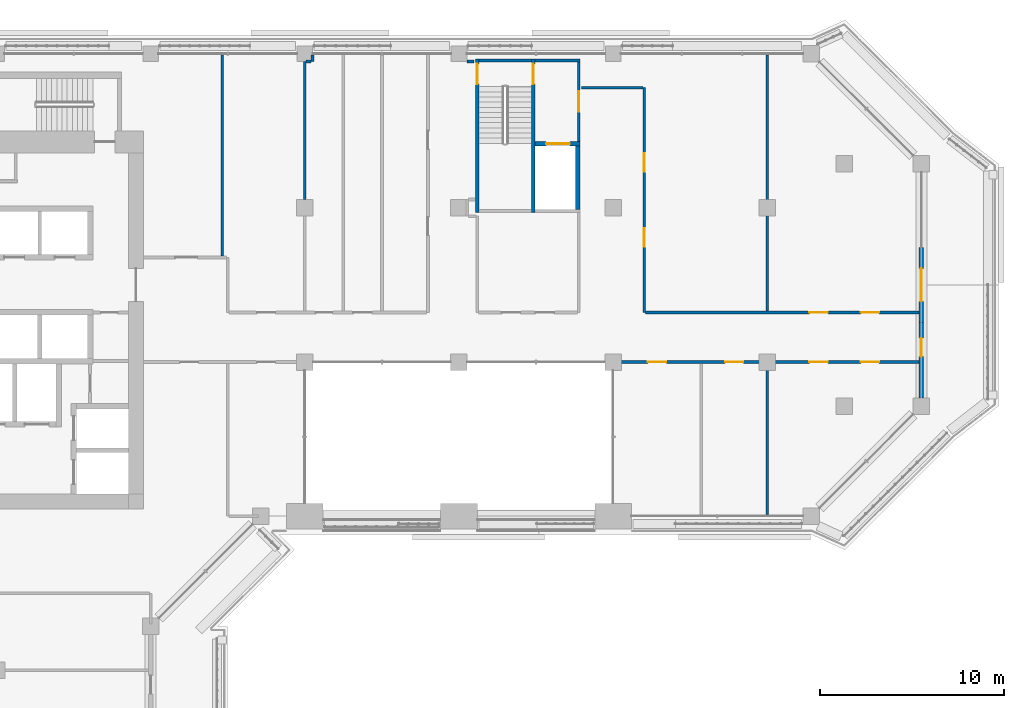
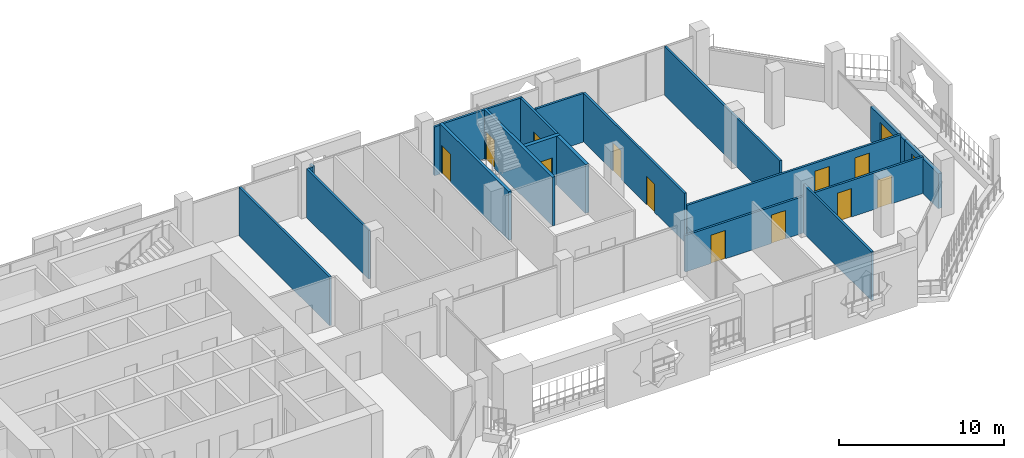
# One storey, part 15 of 23: 20 walls, 14 doors, 14 openings.
"""IFC4 building model written with IfcOpenShell, lengths in metres."""

from ifc_helpers import new_model, si_unit, direction, frame, frame_2d, origin, place, context, subcontext, project, spatial, rectangle, extrude, material, layer, layer_set, type_object, element, fill, save


model = new_model("IFC4")

# Units and contexts
model_context = context("Model", 3, precision=1e-05, world=origin(), true_north=direction((0.0, 1.0)))
body_context = subcontext(model_context, "Body", "Model", "MODEL_VIEW")
ifc_project = project(units=[si_unit("LENGTHUNIT", "METRE"), si_unit("AREAUNIT", "SQUARE_METRE"), si_unit("VOLUMEUNIT", "CUBIC_METRE"), si_unit("PLANEANGLEUNIT", "RADIAN"), si_unit("MASSUNIT", "GRAM", prefix="KILO")], contexts=[model_context])

# Site, building, storey
site_placement = place(None, origin())
site = spatial("IfcSite", under=ifc_project, at=site_placement, CompositionType="ELEMENT")
building_placement = place(site_placement, origin())
building = spatial("IfcBuilding", under=site, at=building_placement, Name="Kawkab Arch Medical Tower", CompositionType="ELEMENT")
storey_placement = place(building_placement, frame((0.0, 0.0, 222.199951171875)))
storey = spatial("IfcBuildingStorey", under=building, at=storey_placement, Name="L51", CompositionType="ELEMENT", Elevation=222.199951171875)

# Wall, opening, door
ifc_material_1 = material(Name="Gypsum board on steel studs", Category="steel")
ifc_layer_1 = layer(ifc_material_1, 0.14990234375)
ifc_layer_set_1 = layer_set([ifc_layer_1], Name="Gypsum board on steel studs")
wall_type_1 = type_object("IfcWallType", Name="Core room partition 150", PredefinedType="PARTITIONING", material=ifc_layer_set_1)
wall_1_placement = place(storey_placement, frame((48.52490234375, -4.77490234375, 0.0), z_axis=(0.0, 0.0, 1.0), x_axis=(0.0, 1.0, 0.0)))
wall_1 = element("IfcWall", 1, at=wall_1_placement, inside=storey, type_object=wall_type_1, Name="L51 core room partition", PredefinedType="PARTITIONING", context=body_context, shape_type="SweptSolid", body=[
    extrude(rectangle(XDim=4.324951171875, YDim=0.14990234375, at=frame_2d((2.16259765625, 0.0))), origin(), (0.0, 0.0, 1.0), 3.60009765625),
])
opening_1_placement = place(wall_1_placement, frame((1.625, 0.0, 0.0)))
opening_1 = element("IfcOpeningElement", 2, at=opening_1_placement, cuts=wall_1, Name="Opening FD", PredefinedType="OPENING", context=body_context, shape_type="SweptSolid", body=[
    extrude(rectangle(XDim=1.10009765625, YDim=2.10009765625, at=frame_2d((0.550048828125, 1.050048828125))), frame((0.0, 0.0849609375, 0.0), z_axis=(0.0, -1.0, 0.0), x_axis=(1.0, 0.0, 0.0)), (0.0, 0.0, 1.0), 0.169921875),
])
ifc_material_2 = material(Name="Hollow metal fire door leaf")
door_type_1 = type_object("IfcDoorType", Name="Firefighting lobby door 1100", OperationType="SINGLE_SWING_LEFT", PredefinedType="DOOR", material=ifc_material_2)
door_1_placement = place(opening_1_placement, origin())
door_1 = element("IfcDoor", 3, at=door_1_placement, inside=storey, type_object=door_type_1, Name="L51 Service lift lobby door SV1", OperationType="SINGLE_SWING_LEFT", OverallHeight=2.10009765625, OverallWidth=1.10009765625, PredefinedType="DOOR", context=body_context, shape_type="SweptSolid", body=[
    extrude(rectangle(XDim=1.10009765625, YDim=2.10009765625, at=frame_2d((0.550048828125, 1.050048828125))), frame((0.0, 0.02490234375, 0.0), z_axis=(0.0, -1.0, 0.0), x_axis=(1.0, 0.0, 0.0)), (0.0, 0.0, 1.0), 0.050048828125),
])
fill(opening_1, door_1)

ifc_material_3 = material(Name="Concrete C60/75", Category="concrete")
ifc_layer_2 = layer(ifc_material_3, 0.25)
ifc_layer_set_2 = layer_set([ifc_layer_2], Name="Concrete C60/75")
wall_type_2 = type_object("IfcWallType", Name="Core shear wall 250 C60/75", PredefinedType="SHEAR", material=ifc_layer_set_2)
wall_2_placement = place(storey_placement, frame((46.14990234375, -4.89990234375, 0.0), z_axis=(0.0, 0.0, 1.0), x_axis=(1.0, 0.0, 0.0)))
wall_2 = element("IfcWall", 4, at=wall_2_placement, inside=storey, type_object=wall_type_2, Name="L51 core shear wall", PredefinedType="SHEAR", context=body_context, shape_type="SweptSolid", body=[
    extrude(rectangle(XDim=2.4501953125, YDim=0.25, at=frame_2d((1.22509765625, 0.0))), origin(), (0.0, 0.0, 1.0), 3.60009765625),
])
opening_2_placement = place(wall_2_placement, frame((0.60009765625, 0.0, 0.0)))
opening_2 = element("IfcOpeningElement", 5, at=opening_2_placement, cuts=wall_2, Name="Opening LD2", PredefinedType="OPENING", context=body_context, shape_type="SweptSolid", body=[
    extrude(rectangle(XDim=1.300048828125, YDim=2.10009765625, at=frame_2d((0.64990234375, 1.050048828125))), frame((0.0, 0.135009765625, 0.0), z_axis=(0.0, -1.0, 0.0), x_axis=(1.0, 0.0, 0.0)), (0.0, 0.0, 1.0), 0.27001953125),
])
ifc_material_4 = material(Name="Stainless steel lift door leaf", Category="steel")
door_type_2 = type_object("IfcDoorType", Name="Lift landing door 1300", OperationType="DOUBLE_DOOR_SLIDING", PredefinedType="DOOR", material=ifc_material_4)
door_2_placement = place(opening_2_placement, origin())
door_2 = element("IfcDoor", 6, at=door_2_placement, inside=storey, type_object=door_type_2, Name="L51 Lift landing door SV1", OperationType="DOUBLE_DOOR_SLIDING", OverallHeight=2.10009765625, OverallWidth=1.300048828125, PredefinedType="DOOR", context=body_context, shape_type="SweptSolid", body=[
    extrude(rectangle(XDim=1.300048828125, YDim=2.10009765625, at=frame_2d((0.64990234375, 1.050048828125))), frame((0.0, 0.02490234375, 0.0), z_axis=(0.0, -1.0, 0.0), x_axis=(1.0, 0.0, 0.0)), (0.0, 0.0, 1.0), 0.050048828125),
])
fill(opening_2, door_2)

# Wall
wall_3_placement = place(storey_placement, frame((48.47509765625, -8.5, 0.0), z_axis=(0.0, 0.0, 1.0), x_axis=(0.0, 1.0, 0.0)))
element("IfcWall", 7, at=wall_3_placement, inside=storey, type_object=wall_type_2, Name="L51 core shear wall", PredefinedType="SHEAR", context=body_context, shape_type="SweptSolid", body=[
    extrude(rectangle(XDim=3.47509765625, YDim=0.25, at=frame_2d((1.737548828125, 0.0))), origin(), (0.0, 0.0, 1.0), 3.60009765625),
])

# Wall, opening, door
ifc_material_5 = material(Name="Bronze clad insulated wall panel")
ifc_layer_3 = layer(ifc_material_5, 0.25)
ifc_layer_set_3 = layer_set([ifc_layer_3], Name="Bronze clad insulated wall panel")
wall_type_3 = type_object("IfcWallType", Name="External wall bay 250", PredefinedType="SOLIDWALL", material=ifc_layer_set_3)
wall_4_placement = place(storey_placement, frame((67.199951171875, -18.75, 0.0), z_axis=(0.0, 0.0, 1.0), x_axis=(0.0, 1.0, 0.0)))
wall_4 = element("IfcWall", 8, at=wall_4_placement, inside=storey, type_object=wall_type_3, Name="External wall bay L51.R07.1.1", PredefinedType="SOLIDWALL", context=body_context, shape_type="SweptSolid", body=[
    extrude(rectangle(XDim=4.10009765625, YDim=0.25, at=frame_2d((2.050048828125, 0.0))), origin(), (0.0, 0.0, 1.0), 2.580078125),
])
opening_3_placement = place(wall_4_placement, frame((2.25, 0.0, 0.0)))
opening_3 = element("IfcOpeningElement", 9, at=opening_3_placement, cuts=wall_4, Name="Opening B51-701", PredefinedType="OPENING", context=body_context, shape_type="SweptSolid", body=[
    extrude(rectangle(XDim=1.0, YDim=2.10009765625, at=frame_2d((0.5, 1.050048828125))), frame((0.0, 0.135009765625, 0.0), z_axis=(0.0, -1.0, 0.0), x_axis=(1.0, 0.0, 0.0)), (0.0, 0.0, 1.0), 0.27001953125),
])
ifc_material_6 = material(Name="Bronze anodised aluminium door with tinted glass", Category="aluminium")
door_type_3 = type_object("IfcDoorType", Name="Single external door 1000 x 2100", OperationType="SINGLE_SWING_LEFT", PredefinedType="DOOR", material=ifc_material_6)
door_3_placement = place(opening_3_placement, origin())
door_3 = element("IfcDoor", 10, at=door_3_placement, inside=storey, type_object=door_type_3, Name="External door L51.R07.1.1", OperationType="SINGLE_SWING_LEFT", OverallHeight=2.10009765625, OverallWidth=1.0, PredefinedType="DOOR", context=body_context, shape_type="SweptSolid", body=[
    extrude(rectangle(XDim=1.0, YDim=2.10009765625, at=frame_2d((0.5, 1.050048828125))), frame((0.0, 0.02490234375, 0.0), z_axis=(0.0, -1.0, 0.0), x_axis=(1.0, 0.0, 0.0)), (0.0, 0.0, 1.0), 0.050048828125),
])
fill(opening_3, door_3)

wall_5_placement = place(storey_placement, frame((67.199951171875, -14.64990234375, 0.0), z_axis=(0.0, 0.0, 1.0), x_axis=(0.0, 1.0, 0.0)))
wall_5 = element("IfcWall", 11, at=wall_5_placement, inside=storey, type_object=wall_type_3, Name="External wall bay L51.R07.1.2", PredefinedType="SOLIDWALL", context=body_context, shape_type="SweptSolid", body=[
    extrude(rectangle(XDim=4.099853515625, YDim=0.25, at=frame_2d((2.0498046875, 0.0))), origin(), (0.0, 0.0, 1.0), 2.580078125),
])
opening_4_placement = place(wall_5_placement, frame((1.14990234375, 0.0, 0.0)))
opening_4 = element("IfcOpeningElement", 12, at=opening_4_placement, cuts=wall_5, Name="Opening B51-702", PredefinedType="OPENING", context=body_context, shape_type="SweptSolid", body=[
    extrude(rectangle(XDim=1.800048828125, YDim=2.10009765625, at=frame_2d((0.89990234375, 1.050048828125))), frame((0.0, 0.135009765625, 0.0), z_axis=(0.0, -1.0, 0.0), x_axis=(1.0, 0.0, 0.0)), (0.0, 0.0, 1.0), 0.27001953125),
])
ifc_material_7 = material(Name="Bronze anodised aluminium door with tinted glass", Category="aluminium")
door_type_4 = type_object("IfcDoorType", Name="Double external door 1800 x 2100", OperationType="DOUBLE_DOOR_SINGLE_SWING", PredefinedType="DOOR", material=ifc_material_7)
door_4_placement = place(opening_4_placement, origin())
door_4 = element("IfcDoor", 13, at=door_4_placement, inside=storey, type_object=door_type_4, Name="External door L51.R07.1.2", OperationType="DOUBLE_DOOR_SINGLE_SWING", OverallHeight=2.10009765625, OverallWidth=1.800048828125, PredefinedType="DOOR", context=body_context, shape_type="SweptSolid", body=[
    extrude(rectangle(XDim=1.800048828125, YDim=2.10009765625, at=frame_2d((0.89990234375, 1.050048828125))), frame((0.0, 0.02490234375, 0.0), z_axis=(0.0, -1.0, 0.0), x_axis=(1.0, 0.0, 0.0)), (0.0, 0.0, 1.0), 0.050048828125),
])
fill(opening_4, door_4)

# Wall, openings, doors
ifc_material_8 = material(Name="Gypsum board partition on steel studs, mineral wool", Category="steel")
ifc_layer_4 = layer(ifc_material_8, 0.14990234375)
ifc_layer_set_4 = layer_set([ifc_layer_4], Name="Gypsum board partition on steel studs, mineral wool")
wall_type_4 = type_object("IfcWallType", Name="Partition 150", PredefinedType="PARTITIONING", material=ifc_layer_set_4)
wall_6_placement = place(storey_placement, frame((50.47998046875, -16.800048828125, 0.0), z_axis=(0.0, 0.0, 1.0), x_axis=(1.0, 0.0, 0.0)))
wall_6 = element("IfcWall", 14, at=wall_6_placement, inside=storey, type_object=wall_type_4, Name="Partition 150 w014", PredefinedType="PARTITIONING", context=body_context, shape_type="SweptSolid", body=[
    extrude(rectangle(XDim=16.64013671875, YDim=0.14990234375, at=frame_2d((8.320068359375, 0.0))), origin(), (0.0, 0.0, 1.0), 2.699951171875),
])
opening_5_placement = place(wall_6_placement, frame((1.820068359375, 0.0, 0.0)))
opening_5 = element("IfcOpeningElement", 15, at=opening_5_placement, cuts=wall_6, Name="Opening B51-012", PredefinedType="OPENING", context=body_context, shape_type="SweptSolid", body=[
    extrude(rectangle(XDim=1.0, YDim=2.10009765625, at=frame_2d((0.5, 1.050048828125))), frame((0.0, 0.0849609375, 0.0), z_axis=(0.0, -1.0, 0.0), x_axis=(1.0, 0.0, 0.0)), (0.0, 0.0, 1.0), 0.169921875),
])
opening_6_placement = place(wall_6_placement, frame((6.02001953125, 0.0, 0.0)))
opening_6 = element("IfcOpeningElement", 16, at=opening_6_placement, cuts=wall_6, Name="Opening B51-013", PredefinedType="OPENING", context=body_context, shape_type="SweptSolid", body=[
    extrude(rectangle(XDim=1.0, YDim=2.10009765625, at=frame_2d((0.5, 1.050048828125))), frame((0.0, 0.0849609375, 0.0), z_axis=(0.0, -1.0, 0.0), x_axis=(1.0, 0.0, 0.0)), (0.0, 0.0, 1.0), 0.169921875),
])
opening_7_placement = place(wall_6_placement, frame((13.419921875, 0.0, 0.0)))
opening_7 = element("IfcOpeningElement", 17, at=opening_7_placement, cuts=wall_6, Name="Opening B51-014", PredefinedType="OPENING", context=body_context, shape_type="SweptSolid", body=[
    extrude(rectangle(XDim=1.0, YDim=2.10009765625, at=frame_2d((0.5, 1.050048828125))), frame((0.0, 0.0849609375, 0.0), z_axis=(0.0, -1.0, 0.0), x_axis=(1.0, 0.0, 0.0)), (0.0, 0.0, 1.0), 0.169921875),
])
opening_8_placement = place(wall_6_placement, frame((10.6201171875, 0.0, 0.0)))
opening_8 = element("IfcOpeningElement", 18, at=opening_8_placement, cuts=wall_6, Name="Opening B51-015", PredefinedType="OPENING", context=body_context, shape_type="SweptSolid", body=[
    extrude(rectangle(XDim=1.0, YDim=2.10009765625, at=frame_2d((0.5, 1.050048828125))), frame((0.0, 0.0849609375, 0.0), z_axis=(0.0, -1.0, 0.0), x_axis=(1.0, 0.0, 0.0)), (0.0, 0.0, 1.0), 0.169921875),
])
ifc_material_9 = material(Name="Hollow metal door leaf")
door_type_5 = type_object("IfcDoorType", Name="Single door 1000x2100 FD30S", OperationType="NOTDEFINED", PredefinedType="DOOR", material=ifc_material_9)
door_5_placement = place(opening_5_placement, origin())
door_5 = element("IfcDoor", 19, at=door_5_placement, inside=storey, type_object=door_type_5, Name="Door B51-012", OperationType="SINGLE_SWING_RIGHT", OverallHeight=2.10009765625, OverallWidth=1.0, PredefinedType="DOOR", context=body_context, shape_type="SweptSolid", body=[
    extrude(rectangle(XDim=1.0, YDim=2.10009765625, at=frame_2d((0.5, 1.050048828125))), frame((0.0, 0.02490234375, 0.0), z_axis=(0.0, -1.0, 0.0), x_axis=(1.0, 0.0, 0.0)), (0.0, 0.0, 1.0), 0.050048828125),
])
fill(opening_5, door_5)
door_6_placement = place(opening_6_placement, origin())
door_6 = element("IfcDoor", 20, at=door_6_placement, inside=storey, type_object=door_type_5, Name="Door B51-013", OperationType="SINGLE_SWING_RIGHT", OverallHeight=2.10009765625, OverallWidth=1.0, PredefinedType="DOOR", context=body_context, shape_type="SweptSolid", body=[
    extrude(rectangle(XDim=1.0, YDim=2.10009765625, at=frame_2d((0.5, 1.050048828125))), frame((0.0, 0.02490234375, 0.0), z_axis=(0.0, -1.0, 0.0), x_axis=(1.0, 0.0, 0.0)), (0.0, 0.0, 1.0), 0.050048828125),
])
fill(opening_6, door_6)
door_7_placement = place(opening_7_placement, origin())
door_7 = element("IfcDoor", 21, at=door_7_placement, inside=storey, type_object=door_type_5, Name="Door B51-014", OperationType="SINGLE_SWING_LEFT", OverallHeight=2.10009765625, OverallWidth=1.0, PredefinedType="DOOR", context=body_context, shape_type="SweptSolid", body=[
    extrude(rectangle(XDim=1.0, YDim=2.10009765625, at=frame_2d((0.5, 1.050048828125))), frame((0.0, 0.02490234375, 0.0), z_axis=(0.0, -1.0, 0.0), x_axis=(1.0, 0.0, 0.0)), (0.0, 0.0, 1.0), 0.050048828125),
])
fill(opening_7, door_7)
door_8_placement = place(opening_8_placement, origin())
door_8 = element("IfcDoor", 22, at=door_8_placement, inside=storey, type_object=door_type_5, Name="Door B51-015", OperationType="SINGLE_SWING_LEFT", OverallHeight=2.10009765625, OverallWidth=1.0, PredefinedType="DOOR", context=body_context, shape_type="SweptSolid", body=[
    extrude(rectangle(XDim=1.0, YDim=2.10009765625, at=frame_2d((0.5, 1.050048828125))), frame((0.0, 0.02490234375, 0.0), z_axis=(0.0, -1.0, 0.0), x_axis=(1.0, 0.0, 0.0)), (0.0, 0.0, 1.0), 0.050048828125),
])
fill(opening_8, door_8)

wall_7_placement = place(storey_placement, frame((52.16796875, -14.10009765625, 0.0), z_axis=(0.0, 0.0, 1.0), x_axis=(1.0, 0.0, 0.0)))
wall_7 = element("IfcWall", 23, at=wall_7_placement, inside=storey, type_object=wall_type_4, Name="Partition 150 w017", PredefinedType="PARTITIONING", context=body_context, shape_type="SweptSolid", body=[
    extrude(rectangle(XDim=14.9521484375, YDim=0.14990234375, at=frame_2d((7.47607421875, 0.0))), origin(), (0.0, 0.0, 1.0), 2.699951171875),
])
opening_9_placement = place(wall_7_placement, frame((8.931884765625, 0.0, 0.0)))
opening_9 = element("IfcOpeningElement", 24, at=opening_9_placement, cuts=wall_7, Name="Opening B51-009", PredefinedType="OPENING", context=body_context, shape_type="SweptSolid", body=[
    extrude(rectangle(XDim=1.0, YDim=2.10009765625, at=frame_2d((0.5, 1.050048828125))), frame((0.0, 0.0849609375, 0.0), z_axis=(0.0, -1.0, 0.0), x_axis=(1.0, 0.0, 0.0)), (0.0, 0.0, 1.0), 0.169921875),
])
opening_10_placement = place(wall_7_placement, frame((11.73193359375, 0.0, 0.0)))
opening_10 = element("IfcOpeningElement", 25, at=opening_10_placement, cuts=wall_7, Name="Opening B51-010", PredefinedType="OPENING", context=body_context, shape_type="SweptSolid", body=[
    extrude(rectangle(XDim=1.0, YDim=2.10009765625, at=frame_2d((0.5, 1.050048828125))), frame((0.0, 0.0849609375, 0.0), z_axis=(0.0, -1.0, 0.0), x_axis=(1.0, 0.0, 0.0)), (0.0, 0.0, 1.0), 0.169921875),
])
door_9_placement = place(opening_9_placement, origin())
door_9 = element("IfcDoor", 26, at=door_9_placement, inside=storey, type_object=door_type_5, Name="Door B51-009", OperationType="SINGLE_SWING_RIGHT", OverallHeight=2.10009765625, OverallWidth=1.0, PredefinedType="DOOR", context=body_context, shape_type="SweptSolid", body=[
    extrude(rectangle(XDim=1.0, YDim=2.10009765625, at=frame_2d((0.5, 1.050048828125))), frame((0.0, 0.02490234375, 0.0), z_axis=(0.0, -1.0, 0.0), x_axis=(1.0, 0.0, 0.0)), (0.0, 0.0, 1.0), 0.050048828125),
])
fill(opening_9, door_9)
door_10_placement = place(opening_10_placement, origin())
door_10 = element("IfcDoor", 27, at=door_10_placement, inside=storey, type_object=door_type_5, Name="Door B51-010", OperationType="SINGLE_SWING_RIGHT", OverallHeight=2.10009765625, OverallWidth=1.0, PredefinedType="DOOR", context=body_context, shape_type="SweptSolid", body=[
    extrude(rectangle(XDim=1.0, YDim=2.10009765625, at=frame_2d((0.5, 1.050048828125))), frame((0.0, 0.02490234375, 0.0), z_axis=(0.0, -1.0, 0.0), x_axis=(1.0, 0.0, 0.0)), (0.0, 0.0, 1.0), 0.050048828125),
])
fill(opening_10, door_10)

# Walls
wall_8_placement = place(storey_placement, frame((48.679931640625, -1.85009765625, 0.0), z_axis=(0.0, 0.0, 1.0), x_axis=(1.0, 0.0, 0.0)))
element("IfcWall", 28, at=wall_8_placement, inside=storey, type_object=wall_type_4, Name="Partition 150 w021", PredefinedType="PARTITIONING", context=body_context, shape_type="SweptSolid", body=[
    extrude(rectangle(XDim=3.337158203125, YDim=0.14990234375, at=frame_2d((1.66845703125, 0.0))), origin(), (0.0, 0.0, 1.0), 3.60009765625),
])
wall_9_placement = place(storey_placement, frame((33.677001953125, -0.425048828125, 0.0), z_axis=(0.0, 0.0, 1.0), x_axis=(1.0, 0.0, 0.0)))
element("IfcWall", 29, at=wall_9_placement, inside=storey, type_object=wall_type_4, Name="Partition 150 w022", PredefinedType="PARTITIONING", context=body_context, shape_type="SweptSolid", body=[
    extrude(rectangle(XDim=0.27099609375, YDim=0.14990234375, at=frame_2d((0.135498046875, 0.0))), origin(), (0.0, 0.0, 1.0), 3.60009765625),
])
wall_10_placement = place(storey_placement, frame((42.425048828125, -0.425048828125, 0.0), z_axis=(0.0, 0.0, 1.0), x_axis=(1.0, 0.0, 0.0)))
element("IfcWall", 30, at=wall_10_placement, inside=storey, type_object=wall_type_4, Name="Partition 150 w023", PredefinedType="PARTITIONING", context=body_context, shape_type="SweptSolid", body=[
    extrude(rectangle(XDim=0.39501953125, YDim=0.14990234375, at=frame_2d((0.197509765625, 0.0))), origin(), (0.0, 0.0, 1.0), 3.60009765625),
])
wall_11_placement = place(storey_placement, frame((29.10009765625, -11.02490234375, 0.0), z_axis=(0.0, 0.0, 1.0), x_axis=(0.0, 1.0, 0.0)))
element("IfcWall", 31, at=wall_11_placement, inside=storey, type_object=wall_type_4, Name="Partition 150 w034", PredefinedType="PARTITIONING", context=body_context, shape_type="SweptSolid", body=[
    extrude(rectangle(XDim=10.94482421875, YDim=0.14990234375, at=frame_2d((5.472412109375, 0.0))), origin(), (0.0, 0.0, 1.0), 3.60009765625),
])
wall_12_placement = place(storey_placement, frame((33.60009765625, -7.949951171875, 0.0), z_axis=(0.0, 0.0, 1.0), x_axis=(0.0, 1.0, 0.0)))
element("IfcWall", 32, at=wall_12_placement, inside=storey, type_object=wall_type_4, Name="Partition 150 w038", PredefinedType="PARTITIONING", context=body_context, shape_type="SweptSolid", body=[
    extrude(rectangle(XDim=7.52294921875, YDim=0.14990234375, at=frame_2d((3.761474609375, 0.0))), origin(), (0.0, 0.0, 1.0), 3.60009765625),
])
wall_13_placement = place(storey_placement, frame((34.02490234375, -0.423095703125, 0.0), z_axis=(0.0, 0.0, 1.0), x_axis=(0.0, 1.0, 0.0)))
element("IfcWall", 33, at=wall_13_placement, inside=storey, type_object=wall_type_4, Name="Partition 150 w039", PredefinedType="PARTITIONING", context=body_context, shape_type="SweptSolid", body=[
    extrude(rectangle(XDim=0.343017578125, YDim=0.14990234375, at=frame_2d((0.17138671875, 0.0))), origin(), (0.0, 0.0, 1.0), 3.60009765625),
])

# Wall, openings, doors
wall_14_placement = place(storey_placement, frame((52.093017578125, -14.10009765625, 0.0), z_axis=(0.0, 0.0, 1.0), x_axis=(0.0, 1.0, 0.0)))
wall_14 = element("IfcWall", 34, at=wall_14_placement, inside=storey, type_object=wall_type_4, Name="Partition 150 w046", PredefinedType="PARTITIONING", context=body_context, shape_type="SweptSolid", body=[
    extrude(rectangle(XDim=12.248046875, YDim=0.14990234375, at=frame_2d((6.1240234375, 0.0))), origin(), (0.0, 0.0, 1.0), 3.60009765625),
])
opening_11_placement = place(wall_14_placement, frame((7.6650390625, 0.0, 0.0)))
opening_11 = element("IfcOpeningElement", 35, at=opening_11_placement, cuts=wall_14, Name="Opening B51-007", PredefinedType="OPENING", context=body_context, shape_type="SweptSolid", body=[
    extrude(rectangle(XDim=1.0, YDim=2.10009765625, at=frame_2d((0.5, 1.050048828125))), frame((0.0, 0.0849609375, 0.0), z_axis=(0.0, -1.0, 0.0), x_axis=(1.0, 0.0, 0.0)), (0.0, 0.0, 1.0), 0.169921875),
])
opening_12_placement = place(wall_14_placement, frame((3.5830078125, 0.0, 0.0)))
opening_12 = element("IfcOpeningElement", 36, at=opening_12_placement, cuts=wall_14, Name="Opening B51-008", PredefinedType="OPENING", context=body_context, shape_type="SweptSolid", body=[
    extrude(rectangle(XDim=1.0, YDim=2.10009765625, at=frame_2d((0.5, 1.050048828125))), frame((0.0, 0.0849609375, 0.0), z_axis=(0.0, -1.0, 0.0), x_axis=(1.0, 0.0, 0.0)), (0.0, 0.0, 1.0), 0.169921875),
])
door_11_placement = place(opening_11_placement, origin())
door_11 = element("IfcDoor", 37, at=door_11_placement, inside=storey, type_object=door_type_5, Name="Door B51-007", OperationType="SINGLE_SWING_LEFT", OverallHeight=2.10009765625, OverallWidth=1.0, PredefinedType="DOOR", context=body_context, shape_type="SweptSolid", body=[
    extrude(rectangle(XDim=1.0, YDim=2.10009765625, at=frame_2d((0.5, 1.050048828125))), frame((0.0, 0.02490234375, 0.0), z_axis=(0.0, -1.0, 0.0), x_axis=(1.0, 0.0, 0.0)), (0.0, 0.0, 1.0), 0.050048828125),
])
fill(opening_11, door_11)
door_12_placement = place(opening_12_placement, origin())
door_12 = element("IfcDoor", 38, at=door_12_placement, inside=storey, type_object=door_type_5, Name="Door B51-008", OperationType="SINGLE_SWING_RIGHT", OverallHeight=2.10009765625, OverallWidth=1.0, PredefinedType="DOOR", context=body_context, shape_type="SweptSolid", body=[
    extrude(rectangle(XDim=1.0, YDim=2.10009765625, at=frame_2d((0.5, 1.050048828125))), frame((0.0, 0.02490234375, 0.0), z_axis=(0.0, -1.0, 0.0), x_axis=(1.0, 0.0, 0.0)), (0.0, 0.0, 1.0), 0.050048828125),
])
fill(opening_12, door_12)

# Walls
wall_15_placement = place(storey_placement, frame((58.800048828125, -25.1201171875, 0.0), z_axis=(0.0, 0.0, 1.0), x_axis=(0.0, 1.0, 0.0)))
element("IfcWall", 39, at=wall_15_placement, inside=storey, type_object=wall_type_4, Name="Partition 150 w048", PredefinedType="PARTITIONING", context=body_context, shape_type="SweptSolid", body=[
    extrude(rectangle(XDim=8.2451171875, YDim=0.14990234375, at=frame_2d((4.12255859375, 0.0))), origin(), (0.0, 0.0, 1.0), 3.60009765625),
])
wall_16_placement = place(storey_placement, frame((58.800048828125, -14.02490234375, 0.0), z_axis=(0.0, 0.0, 1.0), x_axis=(0.0, 1.0, 0.0)))
element("IfcWall", 40, at=wall_16_placement, inside=storey, type_object=wall_type_4, Name="Partition 150 w049", PredefinedType="PARTITIONING", context=body_context, shape_type="SweptSolid", body=[
    extrude(rectangle(XDim=13.94482421875, YDim=0.14990234375, at=frame_2d((6.972412109375, 0.0))), origin(), (0.0, 0.0, 1.0), 3.60009765625),
])
ifc_material_10 = material(Name="Concrete C50/60", Category="concrete")
ifc_layer_5 = layer(ifc_material_10, 0.14990234375)
ifc_layer_set_5 = layer_set([ifc_layer_5], Name="Concrete C50/60")
wall_type_5 = type_object("IfcWallType", Name="Stair enclosure wall 150 C50/60", PredefinedType="SHEAR", material=ifc_layer_set_5)
wall_17_placement = place(storey_placement, frame((43.10009765625, -0.375, 0.0), z_axis=(0.0, 0.0, 1.0), x_axis=(1.0, 0.0, 0.0)))
element("IfcWall", 41, at=wall_17_placement, inside=storey, type_object=wall_type_5, Name="L51 stair enclosure wall", PredefinedType="SHEAR", context=body_context, shape_type="SweptSolid", body=[
    extrude(rectangle(XDim=2.849853515625, YDim=0.14990234375, at=frame_2d((1.4248046875, 0.0))), origin(), (0.0, 0.0, 1.0), 3.60009765625),
])
wall_18_placement = place(storey_placement, frame((46.14990234375, -0.375, 0.0), z_axis=(0.0, 0.0, 1.0), x_axis=(1.0, 0.0, 0.0)))
element("IfcWall", 42, at=wall_18_placement, inside=storey, type_object=wall_type_5, Name="L51 stair enclosure wall", PredefinedType="SHEAR", context=body_context, shape_type="SweptSolid", body=[
    extrude(rectangle(XDim=2.4501953125, YDim=0.14990234375, at=frame_2d((1.22509765625, 0.0))), origin(), (0.0, 0.0, 1.0), 3.60009765625),
])

# Wall, opening, door
ifc_material_11 = material(Name="Concrete C50/60", Category="concrete")
ifc_layer_6 = layer(ifc_material_11, 0.199951171875)
ifc_layer_set_6 = layer_set([ifc_layer_6], Name="Concrete C50/60")
wall_type_6 = type_object("IfcWallType", Name="Stair enclosure wall 200 C50/60", PredefinedType="SHEAR", material=ifc_layer_set_6)
wall_19_placement = place(storey_placement, frame((43.0, -8.64990234375, 0.0), z_axis=(0.0, 0.0, 1.0), x_axis=(0.0, 1.0, 0.0)))
wall_19 = element("IfcWall", 43, at=wall_19_placement, inside=storey, type_object=wall_type_6, Name="L51 stair enclosure wall", PredefinedType="SHEAR", context=body_context, shape_type="SweptSolid", body=[
    extrude(rectangle(XDim=8.349853515625, YDim=0.199951171875, at=frame_2d((4.1748046875, 0.0))), origin(), (0.0, 0.0, 1.0), 3.60009765625),
])
opening_13_placement = place(wall_19_placement, frame((7.0, 0.0, 0.0)))
opening_13 = element("IfcOpeningElement", 44, at=opening_13_placement, cuts=wall_19, Name="Opening SD", PredefinedType="OPENING", context=body_context, shape_type="SweptSolid", body=[
    extrude(rectangle(XDim=1.10009765625, YDim=2.10009765625, at=frame_2d((0.550048828125, 1.050048828125))), frame((0.0, 0.10986328125, 0.0), z_axis=(0.0, -1.0, 0.0), x_axis=(1.0, 0.0, 0.0)), (0.0, 0.0, 1.0), 0.219970703125),
])
ifc_material_12 = material(Name="Hollow metal fire door leaf")
door_type_6 = type_object("IfcDoorType", Name="Exit stair door 1100", OperationType="SINGLE_SWING_LEFT", PredefinedType="DOOR", material=ifc_material_12)
door_13_placement = place(opening_13_placement, frame((1.10009765625, 0.0, 0.0), z_axis=(0.0, 0.0, 1.0), x_axis=(-1.0, 0.0, 0.0)))
door_13 = element("IfcDoor", 45, at=door_13_placement, inside=storey, type_object=door_type_6, Name="L51 Exit stair ST5 door", OperationType="SINGLE_SWING_LEFT", OverallHeight=2.10009765625, OverallWidth=1.10009765625, PredefinedType="DOOR", context=body_context, shape_type="SweptSolid", body=[
    extrude(rectangle(XDim=1.10009765625, YDim=2.10009765625, at=frame_2d((0.550048828125, 1.050048828125))), frame((0.0, 0.02490234375, 0.0), z_axis=(0.0, -1.0, 0.0), x_axis=(1.0, 0.0, 0.0)), (0.0, 0.0, 1.0), 0.050048828125),
])
fill(opening_13, door_13)

wall_20_placement = place(storey_placement, frame((46.050048828125, -8.64990234375, 0.0), z_axis=(0.0, 0.0, 1.0), x_axis=(0.0, 1.0, 0.0)))
wall_20 = element("IfcWall", 46, at=wall_20_placement, inside=storey, type_object=wall_type_6, Name="L51 stair enclosure wall", PredefinedType="SHEAR", context=body_context, shape_type="SweptSolid", body=[
    extrude(rectangle(XDim=8.349853515625, YDim=0.199951171875, at=frame_2d((4.1748046875, 0.0))), origin(), (0.0, 0.0, 1.0), 3.60009765625),
])
opening_14_placement = place(wall_20_placement, frame((7.0, 0.0, 0.0)))
opening_14 = element("IfcOpeningElement", 47, at=opening_14_placement, cuts=wall_20, Name="Opening SD", PredefinedType="OPENING", context=body_context, shape_type="SweptSolid", body=[
    extrude(rectangle(XDim=1.10009765625, YDim=2.10009765625, at=frame_2d((0.550048828125, 1.050048828125))), frame((0.0, 0.10986328125, 0.0), z_axis=(0.0, -1.0, 0.0), x_axis=(1.0, 0.0, 0.0)), (0.0, 0.0, 1.0), 0.219970703125),
])
door_14_placement = place(opening_14_placement, origin())
door_14 = element("IfcDoor", 48, at=door_14_placement, inside=storey, type_object=door_type_6, Name="L51 Exit stair ST5 lobby door", OperationType="SINGLE_SWING_LEFT", OverallHeight=2.10009765625, OverallWidth=1.10009765625, PredefinedType="DOOR", context=body_context, shape_type="SweptSolid", body=[
    extrude(rectangle(XDim=1.10009765625, YDim=2.10009765625, at=frame_2d((0.550048828125, 1.050048828125))), frame((0.0, 0.02490234375, 0.0), z_axis=(0.0, -1.0, 0.0), x_axis=(1.0, 0.0, 0.0)), (0.0, 0.0, 1.0), 0.050048828125),
])
fill(opening_14, door_14)

save(model, "model.ifc")
